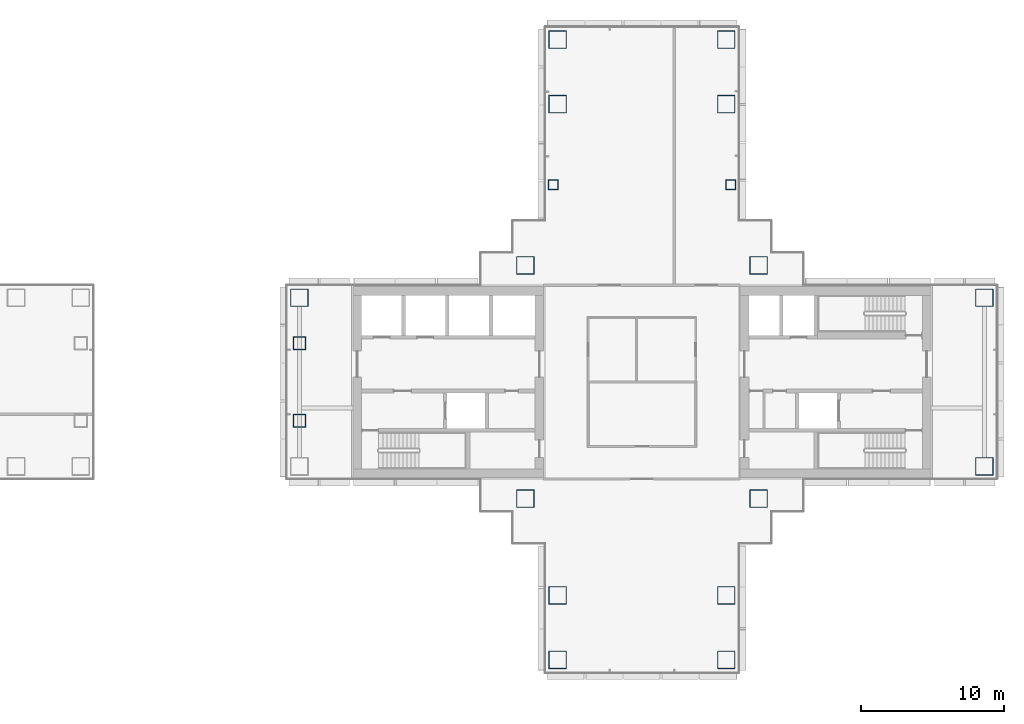
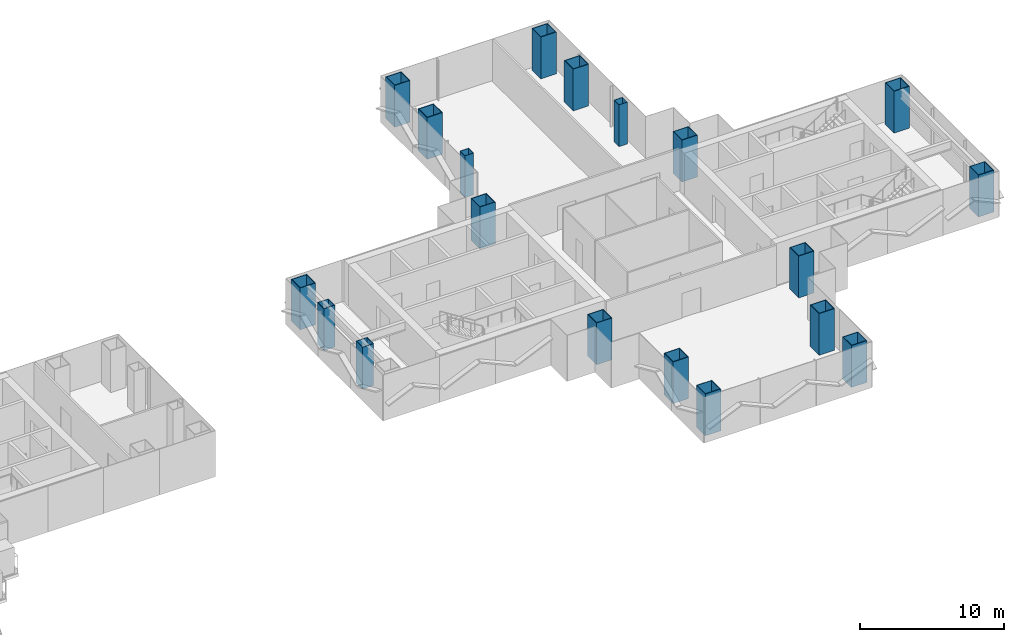
# One storey, part 2 of 19: 19 columns.
"""IFC4 building model written with IfcOpenShell, lengths in metres."""

import ifcopenshell
import ifcopenshell.guid

model = None  # the IFC model being written
_history = None  # IfcOwnerHistory: only IFC2X3 demands one
_inside = {}  # id of a spatial element -> (the spatial element, [elements in it])
_under = {}  # id of a project, library or spatial element -> (it, [spatial elements below it])
_declared = {}  # id of a project -> (the project, [libraries it declares])
_typed = {}  # id of a type object -> (the type object, [elements of that type])
_made_of = {}  # id of a material, layer set ... -> (it, [elements and type objects made of it])


def new_model(schema):
    """Start an empty IFC model of exactly this schema.

    Asked for "IFC4X3", IfcOpenShell would pick the latest addendum, in which some entities
    have other attributes; the version numbers below select the first issue.
    IFC2X3 requires an IfcOwnerHistory on every rooted entity: one is made here for all.
    """
    global model, _history
    if schema == "IFC4X3":
        model = ifcopenshell.file(schema_version=(4, 3, 0, 0))
    else:
        model = ifcopenshell.file(schema=schema)
    _inside.clear()
    _under.clear()
    _declared.clear()
    _typed.clear()
    _made_of.clear()
    _history = None
    if model.schema == "IFC2X3":
        org = make("IfcOrganization", Name="unknown")
        user = make(
            "IfcPersonAndOrganization",
            ThePerson=make("IfcPerson", FamilyName="unknown"),
            TheOrganization=org,
        )
        app = make(
            "IfcApplication",
            ApplicationDeveloper=org,
            Version="unknown",
            ApplicationFullName="unknown",
            ApplicationIdentifier="unknown",
        )
        _history = make(
            "IfcOwnerHistory",
            OwningUser=user,
            OwningApplication=app,
            ChangeAction="ADDED",
            CreationDate=0,
        )
    return model


def make(cls, **values):
    """One entity of the class cls with the attributes given. An attribute that is None is left unset."""
    return model.create_entity(
        cls, **{name: value for name, value in values.items() if value is not None}
    )


def rooted(cls, **values):
    """An entity with a GlobalId (a new one), such as an element, a storey or a relation."""
    return make(cls, GlobalId=ifcopenshell.guid.new(), OwnerHistory=_history, **values)


def si_unit(unit_type, name, prefix=None):
    """IfcSIUnit, for example si_unit("LENGTHUNIT", "METRE", prefix="MILLI")."""
    return make("IfcSIUnit", UnitType=unit_type, Prefix=prefix, Name=name)


def assignment(units):
    """IfcUnitAssignment: the units of a project."""
    return None if units is None else make("IfcUnitAssignment", Units=units)


def point(xyz):
    """IfcCartesianPoint."""
    return None if xyz is None else make("IfcCartesianPoint", Coordinates=xyz)


def direction(xyz):
    """IfcDirection."""
    return None if xyz is None else make("IfcDirection", DirectionRatios=xyz)


def frame(location, z_axis=None, x_axis=None):
    """IfcAxis2Placement3D, a coordinate frame: its origin and axes. An axis left out is left unset."""
    return make(
        "IfcAxis2Placement3D",
        Location=point(location),
        Axis=direction(z_axis),
        RefDirection=direction(x_axis),
    )


def frame_2d(location, x_axis=None):
    """IfcAxis2Placement2D, a coordinate frame in the plane: its origin and x axis."""
    return make(
        "IfcAxis2Placement2D", Location=point(location), RefDirection=direction(x_axis)
    )


def origin():
    """The frame at (0, 0, 0) with its axes left unset."""
    return frame((0.0, 0.0, 0.0))


def origin_2d():
    """The frame at (0, 0) in the plane with its x axis left unset."""
    return frame_2d((0.0, 0.0))


def place(relative_to, where):
    """IfcLocalPlacement: puts the frame where relative to a parent placement (None: the world)."""
    return make(
        "IfcLocalPlacement", PlacementRelTo=relative_to, RelativePlacement=where
    )


def context(
    kind, dimensions, precision=None, world=None, true_north=None, identifier=None
):
    """IfcGeometricRepresentationContext, for example the 3D "Model" context."""
    return make(
        "IfcGeometricRepresentationContext",
        ContextIdentifier=identifier,
        ContextType=kind,
        CoordinateSpaceDimension=dimensions,
        Precision=precision,
        WorldCoordinateSystem=world,
        TrueNorth=true_north,
    )


def subcontext(parent, identifier, kind, view, scale=None):
    """IfcGeometricRepresentationSubContext, for example "Body" below "Model"."""
    return make(
        "IfcGeometricRepresentationSubContext",
        ContextIdentifier=identifier,
        ContextType=kind,
        ParentContext=parent,
        TargetScale=scale,
        TargetView=view,
    )


def project(units=None, contexts=None):
    """IfcProject with its units and contexts."""
    return rooted(
        "IfcProject",
        Name="project",
        RepresentationContexts=contexts,
        UnitsInContext=assignment(units),
    )


def spatial(cls, under=None, at=None, **own):
    """A site, building, storey or space (cls), placed at a placement, below another one or the project."""
    s = rooted(cls, ObjectPlacement=at, **own)
    if under is not None:
        _under.setdefault(under.id(), (under, []))[1].append(s)
    return s


def profile(cls, at=None, kind="AREA", **sizes):
    """A parametric profile (cls). Its sizes go by their IFC names, for example OverallWidth=200.0."""
    return make(cls, ProfileType=kind, Position=at, **sizes)


def hollow_rectangle(**sizes):
    """IfcRectangleHollowProfileDef."""
    return profile("IfcRectangleHollowProfileDef", **sizes)


def extrude(swept, where, along, depth):
    """IfcExtrudedAreaSolid: the profile swept, set in the frame where, extruded along a direction by depth."""
    return make(
        "IfcExtrudedAreaSolid",
        SweptArea=swept,
        Position=where,
        ExtrudedDirection=direction(along),
        Depth=depth,
    )


def shape(context_of_items, identifier, shape_type, items):
    """IfcShapeRepresentation: the items that make up one representation, for example the "Body"."""
    return make(
        "IfcShapeRepresentation",
        ContextOfItems=context_of_items,
        RepresentationIdentifier=identifier,
        RepresentationType=shape_type,
        Items=items,
    )


def material(Name=None, Category=None):
    """IfcMaterial."""
    return make("IfcMaterial", Name=Name, Category=Category)


def material_profile(
    of_material, cross_section, Name=None, Category=None, Priority=None
):
    """IfcMaterialProfile: a cross section and its material."""
    return make(
        "IfcMaterialProfile",
        Name=Name,
        Material=of_material,
        Profile=cross_section,
        Priority=Priority,
        Category=Category,
    )


def profile_set(profiles, Name=None, composite=None):
    """IfcMaterialProfileSet."""
    return make(
        "IfcMaterialProfileSet",
        Name=Name,
        MaterialProfiles=profiles,
        CompositeProfile=composite,
    )


def made_of(thing, what):
    """Note that an element or type object is made of a material, layer set ...; save() writes the relation."""
    if what is not None:
        _made_of.setdefault(what.id(), (what, []))[1].append(thing)
    return thing


def type_object(cls, material=None, **own):
    """A type object (cls), such as IfcWallType, which elements share."""
    return made_of(rooted(cls, **own), material)


def element(
    cls,
    number,
    at=None,
    inside=None,
    cuts=None,
    type_object=None,
    material=None,
    context=None,
    identifier="Body",
    shape_type=None,
    held_by="IfcProductDefinitionShape",
    body=None,
    shapes=None,
    **own,
):
    """One element of the class cls, such as IfcWall. Its Tag is "e" and its number.

    at: its placement. inside: the storey or other place that contains it. cuts: it is an
    opening in that element (IfcRelVoidsElement). A single representation is given by context,
    identifier, shape_type and body (its items); several are given by shapes. held_by: the class
    of the entity that holds the representations. save() writes the other relations.
    """
    e = rooted(cls, Tag="e%d" % number, ObjectPlacement=at, **own)
    if body is not None:
        shapes = [shape(context, identifier, shape_type, body)]
    if shapes is not None:
        e.Representation = make(held_by, Representations=shapes)
    if inside is not None:
        _inside.setdefault(inside.id(), (inside, []))[1].append(e)
    if cuts is not None:
        rooted(
            "IfcRelVoidsElement", RelatingBuildingElement=cuts, RelatedOpeningElement=e
        )
    if type_object is not None:
        _typed.setdefault(type_object.id(), (type_object, []))[1].append(e)
    return made_of(e, material)


def aggregate(whole, parts):
    """IfcRelAggregates: a whole, such as a stair, and the parts it consists of."""
    return rooted("IfcRelAggregates", RelatingObject=whole, RelatedObjects=parts)


def save(model, path):
    """Write the relations noted so far, then the file.

    IfcRelAggregates (storeys below a building ...), IfcRelContainedInSpatialStructure (elements
    in a storey), IfcRelDefinesByType, IfcRelAssociatesMaterial and IfcRelDeclares: one each for
    every whole, place, type object, material and project.
    """
    for whole, parts in _under.values():
        aggregate(whole, parts)
    for where, things in _inside.values():
        rooted(
            "IfcRelContainedInSpatialStructure",
            RelatedElements=things,
            RelatingStructure=where,
        )
    for kind, things in _typed.values():
        rooted("IfcRelDefinesByType", RelatedObjects=things, RelatingType=kind)
    for what, things in _made_of.values():
        rooted("IfcRelAssociatesMaterial", RelatedObjects=things, RelatingMaterial=what)
    for by, libraries in _declared.values():
        rooted("IfcRelDeclares", RelatingContext=by, RelatedDefinitions=libraries)
    model.write(path)


model = new_model("IFC4")

# Units and contexts
model_context = context("Model", 3, precision=1e-05, world=origin(), true_north=direction((0.0, 1.0)))
body_context = subcontext(model_context, "Body", "Model", "MODEL_VIEW")
ifc_project = project(units=[si_unit("LENGTHUNIT", "METRE"), si_unit("AREAUNIT", "SQUARE_METRE"), si_unit("VOLUMEUNIT", "CUBIC_METRE"), si_unit("PLANEANGLEUNIT", "RADIAN"), si_unit("MASSUNIT", "GRAM", prefix="KILO")], contexts=[model_context])

# Site, building, storey
site_placement = place(None, origin())
site = spatial("IfcSite", under=ifc_project, at=site_placement, CompositionType="ELEMENT")
building_placement = place(site_placement, origin())
building = spatial("IfcBuilding", under=site, at=building_placement, Name="Shamsa Quay Exchange Towers", CompositionType="ELEMENT")
storey_placement = place(building_placement, frame((0.0, 0.0, 85.800048828125)))
storey = spatial("IfcBuildingStorey", under=building, at=storey_placement, Name="L19", CompositionType="ELEMENT", Elevation=85.800048828125)

# Columns
ifc_material_1 = material(Name="Concrete-filled steel tube S355 / C80/95", Category="concrete")
ifc_material_profile_1 = material_profile(ifc_material_1, hollow_rectangle(XDim=1.25, YDim=1.25, WallThickness=0.050048828125, at=origin_2d()), Name="CFT 1250x1250x50")
ifc_profile_set_1 = profile_set([ifc_material_profile_1], Name="Concrete-filled steel tube S355 / C80/95")
column_type_1 = type_object("IfcColumnType", Name="Column CFT 1250x1250x50", PredefinedType="COLUMN", material=ifc_profile_set_1)
for number, where, name in (
    (1, (25.625, 8.125, 0.0), "Mega column T2-CM01"),
    (2, (41.875, 8.125, 0.0), "Mega column T2-CM02"),
    (3, (25.625, -8.125, 0.0), "Mega column T2-CM03"),
    (4, (41.875, -8.125, 0.0), "Mega column T2-CM04"),
    (5, (39.625, 19.375, 0.0), "Mega column T2-CM06"),
    (6, (39.625, 23.875, 0.0), "Mega column T2-CM07"),
    (7, (27.875, 19.375, 0.0), "Mega column T2-CM10"),
    (8, (27.875, 23.875, 0.0), "Mega column T2-CM11"),
    (9, (39.625, -14.875, 0.0), "Mega column T2-CM13"),
    (10, (39.625, -19.375, 0.0), "Mega column T2-CM14"),
    (11, (27.875, -14.875, 0.0), "Mega column T2-CM16"),
    (12, (27.875, -19.375, 0.0), "Mega column T2-CM17"),
    (13, (9.875, 5.875, 0.0), "Mega column T2-CM20"),
    (14, (57.625, -5.875, 0.0), "Mega column T2-CM21"),
    (15, (57.625, 5.875, 0.0), "Mega column T2-CM23"),
):
    element("IfcColumn", number, at=place(storey_placement, frame(where)), inside=storey, type_object=column_type_1, Name=name, PredefinedType="COLUMN", context=body_context, shape_type="SweptSolid", body=[
        extrude(hollow_rectangle(XDim=1.25, YDim=1.25, WallThickness=0.050048828125, at=origin_2d()), origin(), (0.0, 0.0, 1.0), 3.550048828125),
    ])
ifc_material_2 = material(Name="Concrete-filled steel tube S355 / C60/75", Category="concrete")
ifc_material_profile_2 = material_profile(ifc_material_2, hollow_rectangle(XDim=0.699951171875, YDim=0.699951171875, WallThickness=0.02490234375, at=origin_2d()), Name="CFT 700x700x25")
ifc_profile_set_2 = profile_set([ifc_material_profile_2], Name="Concrete-filled steel tube S355 / C60/75")
column_type_2 = type_object("IfcColumnType", Name="Column CFT 700x700x25", PredefinedType="COLUMN", material=ifc_profile_set_2)
for number, where, name in (
    (16, (39.9375, 13.75, 0.0), "Perimeter column T2-CP05"),
    (17, (27.5625, 13.75, 0.0), "Perimeter column T2-CP09"),
):
    element("IfcColumn", number, at=place(storey_placement, frame(where)), inside=storey, type_object=column_type_2, Name=name, PredefinedType="COLUMN", context=body_context, shape_type="SweptSolid", body=[
        extrude(hollow_rectangle(XDim=0.699951171875, YDim=0.699951171875, WallThickness=0.02490234375, at=origin_2d()), origin(), (0.0, 0.0, 1.0), 3.550048828125),
    ])
ifc_material_3 = material(Name="Concrete-filled steel tube S355 / C70/85", Category="concrete")
ifc_material_profile_3 = material_profile(ifc_material_3, hollow_rectangle(XDim=0.89990234375, YDim=0.89990234375, WallThickness=0.035888671875, at=origin_2d()), Name="CFT 900x900x36")
ifc_profile_set_3 = profile_set([ifc_material_profile_3], Name="Concrete-filled steel tube S355 / C70/85")
column_type_3 = type_object("IfcColumnType", Name="Landing column CFT 900x900x36", PredefinedType="COLUMN", material=ifc_profile_set_3)
for number, where, name in (
    (18, (9.875, -2.699951171875, 0.0), "Landing column T2 S"),
    (19, (9.875, 2.699951171875, 0.0), "Landing column T2 N"),
):
    element("IfcColumn", number, at=place(storey_placement, frame(where)), inside=storey, type_object=column_type_3, Name=name, PredefinedType="COLUMN", context=body_context, shape_type="SweptSolid", body=[
        extrude(hollow_rectangle(XDim=0.89990234375, YDim=0.89990234375, WallThickness=0.035888671875, at=origin_2d()), origin(), (0.0, 0.0, 1.0), 3.550048828125),
    ])

save(model, "model.ifc")
